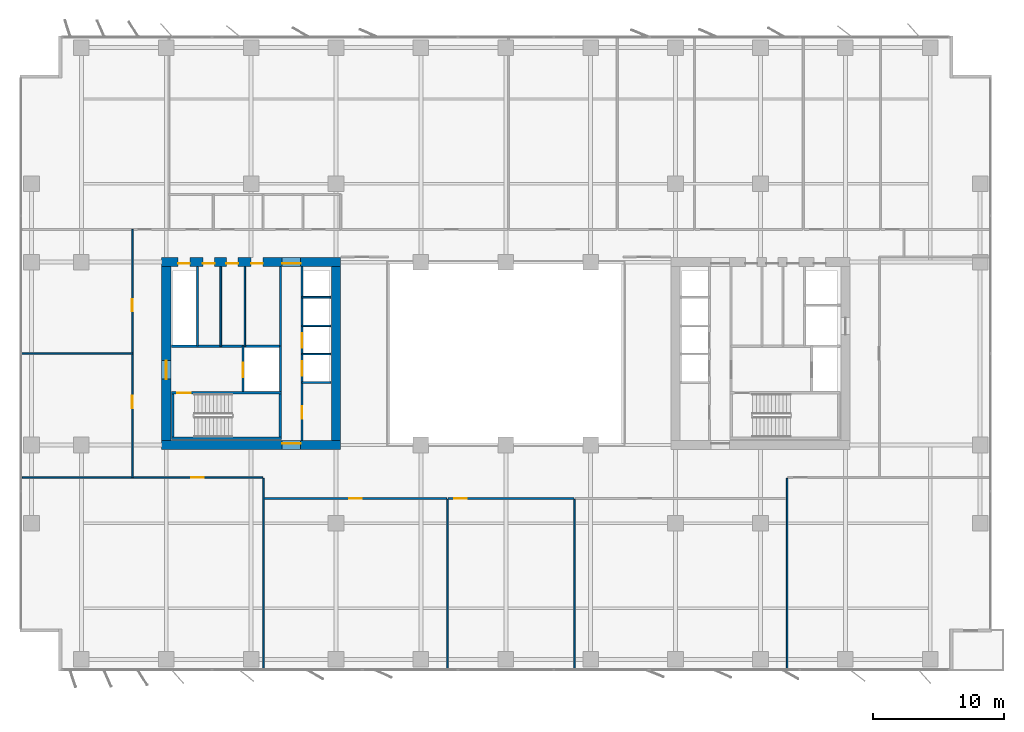
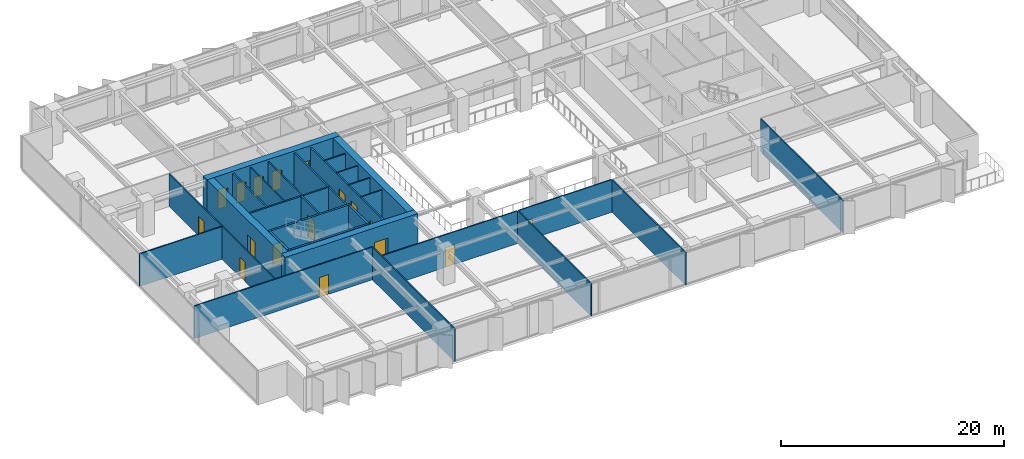
# One storey, part 13 of 20: 30 walls, 17 doors, 17 openings.
"""IFC4 building model written with IfcOpenShell, lengths in metres."""

from ifc_helpers import new_model, si_unit, direction, frame, frame_2d, origin, place, context, subcontext, project, spatial, rectangle, extrude, material, layer, layer_set, type_object, element, fill, save


model = new_model("IFC4")

# Units and contexts
model_context = context("Model", 3, precision=1e-05, world=origin(), true_north=direction((0.0, 1.0)))
body_context = subcontext(model_context, "Body", "Model", "MODEL_VIEW")
ifc_project = project(units=[si_unit("LENGTHUNIT", "METRE"), si_unit("AREAUNIT", "SQUARE_METRE"), si_unit("VOLUMEUNIT", "CUBIC_METRE"), si_unit("PLANEANGLEUNIT", "RADIAN"), si_unit("MASSUNIT", "GRAM", prefix="KILO")], contexts=[model_context])

# Site, building, storey
site_placement = place(None, origin())
site = spatial("IfcSite", under=ifc_project, at=site_placement, CompositionType="ELEMENT")
building_placement = place(site_placement, origin())
building = spatial("IfcBuilding", under=site, at=building_placement, Name="Putna Gate Headquarters", CompositionType="ELEMENT")
storey_placement = place(building_placement, frame((0.0, 0.0, 108.800048828125)))
storey = spatial("IfcBuildingStorey", under=building, at=storey_placement, Name="L26", CompositionType="ELEMENT", Elevation=108.800048828125)

# Wall, opening, door
ifc_material_1 = material(Name="Concrete C60/75", Category="concrete")
ifc_layer_1 = layer(ifc_material_1, 0.699951171875)
ifc_layer_set_1 = layer_set([ifc_layer_1], Name="Concrete C60/75")
wall_type_1 = type_object("IfcWallType", Name="WALL-CORE-700", PredefinedType="SHEAR", material=ifc_layer_set_1)
wall_1_placement = place(storey_placement, frame((12.64990234375, 19.0, 0.0), z_axis=(0.0, 0.0, 1.0), x_axis=(1.0, 0.0, 0.0)))
wall_1 = element("IfcWall", 1, at=wall_1_placement, inside=storey, type_object=wall_type_1, Name="L26 WC Split Core Shear Wall S", PredefinedType="SHEAR", context=body_context, shape_type="SweptSolid", body=[
    extrude(rectangle(XDim=13.7001953125, YDim=0.699951171875, at=frame_2d((6.85009765625, 0.0))), origin(), (0.0, 0.0, 1.0), 3.800048828125),
])
opening_1_placement = place(wall_1_placement, frame((9.22998046875, 0.0, 0.0)))
opening_1 = element("IfcOpeningElement", 2, at=opening_1_placement, cuts=wall_1, Name="Opening FDD-140", PredefinedType="OPENING", context=body_context, shape_type="SweptSolid", body=[
    extrude(rectangle(XDim=1.39990234375, YDim=2.199951171875, at=frame_2d((0.699951171875, 1.10009765625))), frame((0.0, 0.35986328125, 0.0), z_axis=(0.0, -1.0, 0.0), x_axis=(1.0, 0.0, 0.0)), (0.0, 0.0, 1.0), 0.719970703125),
])
ifc_material_2 = material(Name="Double steel fire door", Category="steel")
door_type_1 = type_object("IfcDoorType", Name="DOOR-FIRE-DBL-1400", OperationType="DOUBLE_DOOR_SINGLE_SWING", PredefinedType="DOOR", material=ifc_material_2)
door_1_placement = place(opening_1_placement, origin())
door_1 = element("IfcDoor", 3, at=door_1_placement, inside=storey, type_object=door_type_1, Name="L26 West Lift Lobby South Door", OperationType="DOUBLE_DOOR_SINGLE_SWING", OverallHeight=2.199951171875, OverallWidth=1.39990234375, PredefinedType="DOOR", context=body_context, shape_type="SweptSolid", body=[
    extrude(rectangle(XDim=1.39990234375, YDim=2.199951171875, at=frame_2d((0.699951171875, 1.10009765625))), frame((0.0, 0.125, 0.0), z_axis=(0.0, -1.0, 0.0), x_axis=(1.0, 0.0, 0.0)), (0.0, 0.0, 1.0), 0.050048828125),
])
fill(opening_1, door_1)

# Wall, openings, doors
wall_2_placement = place(storey_placement, frame((12.64990234375, 33.0, 0.0), z_axis=(0.0, 0.0, 1.0), x_axis=(1.0, 0.0, 0.0)))
wall_2 = element("IfcWall", 4, at=wall_2_placement, inside=storey, type_object=wall_type_1, Name="L26 WC Split Core Shear Wall N", PredefinedType="SHEAR", context=body_context, shape_type="SweptSolid", body=[
    extrude(rectangle(XDim=13.7001953125, YDim=0.699951171875, at=frame_2d((6.85009765625, 0.0))), origin(), (0.0, 0.0, 1.0), 3.800048828125),
])
opening_2_placement = place(wall_2_placement, frame((1.25, 0.0, 0.0)))
opening_2 = element("IfcOpeningElement", 5, at=opening_2_placement, cuts=wall_2, Name="Opening RD-90", PredefinedType="OPENING", context=body_context, shape_type="SweptSolid", body=[
    extrude(rectangle(XDim=0.89990234375, YDim=2.14990234375, at=frame_2d((0.449951171875, 1.074951171875))), frame((0.0, 0.35986328125, 0.0), z_axis=(0.0, -1.0, 0.0), x_axis=(1.0, 0.0, 0.0)), (0.0, 0.0, 1.0), 0.719970703125),
])
opening_3_placement = place(wall_2_placement, frame((3.14990234375, 0.0, 0.0)))
opening_3 = element("IfcOpeningElement", 6, at=opening_3_placement, cuts=wall_2, Name="Opening IDS-90", PredefinedType="OPENING", context=body_context, shape_type="SweptSolid", body=[
    extrude(rectangle(XDim=0.89990234375, YDim=2.14990234375, at=frame_2d((0.449951171875, 1.074951171875))), frame((0.0, 0.35986328125, 0.0), z_axis=(0.0, -1.0, 0.0), x_axis=(1.0, 0.0, 0.0)), (0.0, 0.0, 1.0), 0.719970703125),
])
opening_4_placement = place(wall_2_placement, frame((4.949951171875, 0.0, 0.0)))
opening_4 = element("IfcOpeningElement", 7, at=opening_4_placement, cuts=wall_2, Name="Opening IDS-90", PredefinedType="OPENING", context=body_context, shape_type="SweptSolid", body=[
    extrude(rectangle(XDim=0.89990234375, YDim=2.14990234375, at=frame_2d((0.449951171875, 1.074951171875))), frame((0.0, 0.35986328125, 0.0), z_axis=(0.0, -1.0, 0.0), x_axis=(1.0, 0.0, 0.0)), (0.0, 0.0, 1.0), 0.719970703125),
])
opening_5_placement = place(wall_2_placement, frame((6.85009765625, 0.0, 0.0)))
opening_5 = element("IfcOpeningElement", 8, at=opening_5_placement, cuts=wall_2, Name="Opening IDS-90", PredefinedType="OPENING", context=body_context, shape_type="SweptSolid", body=[
    extrude(rectangle(XDim=0.89990234375, YDim=2.14990234375, at=frame_2d((0.449951171875, 1.074951171875))), frame((0.0, 0.35986328125, 0.0), z_axis=(0.0, -1.0, 0.0), x_axis=(1.0, 0.0, 0.0)), (0.0, 0.0, 1.0), 0.719970703125),
])
opening_6_placement = place(wall_2_placement, frame((9.22998046875, 0.0, 0.0)))
opening_6 = element("IfcOpeningElement", 9, at=opening_6_placement, cuts=wall_2, Name="Opening FDD-140", PredefinedType="OPENING", context=body_context, shape_type="SweptSolid", body=[
    extrude(rectangle(XDim=1.39990234375, YDim=2.199951171875, at=frame_2d((0.699951171875, 1.10009765625))), frame((0.0, 0.35986328125, 0.0), z_axis=(0.0, -1.0, 0.0), x_axis=(1.0, 0.0, 0.0)), (0.0, 0.0, 1.0), 0.719970703125),
])
door_2_placement = place(opening_6_placement, origin())
door_2 = element("IfcDoor", 10, at=door_2_placement, inside=storey, type_object=door_type_1, Name="L26 West Lift Lobby North Door", OperationType="DOUBLE_DOOR_SINGLE_SWING", OverallHeight=2.199951171875, OverallWidth=1.39990234375, PredefinedType="DOOR", context=body_context, shape_type="SweptSolid", body=[
    extrude(rectangle(XDim=1.39990234375, YDim=2.199951171875, at=frame_2d((0.699951171875, 1.10009765625))), frame((0.0, -0.0751953125, 0.0), z_axis=(0.0, -1.0, 0.0), x_axis=(1.0, 0.0, 0.0)), (0.0, 0.0, 1.0), 0.050048828125),
])
fill(opening_6, door_2)
ifc_material_3 = material(Name="Fire-rated utility door")
door_type_2 = type_object("IfcDoorType", Name="DOOR-INT-900", OperationType="NOTDEFINED", PredefinedType="DOOR", material=ifc_material_3)
door_3_placement = place(opening_3_placement, origin())
door_3 = element("IfcDoor", 11, at=door_3_placement, inside=storey, type_object=door_type_2, Name="L26 Janitor Cupboard Door", OperationType="SINGLE_SWING_LEFT", OverallHeight=2.14990234375, OverallWidth=0.89990234375, PredefinedType="DOOR", context=body_context, shape_type="SweptSolid", body=[
    extrude(rectangle(XDim=0.89990234375, YDim=2.14990234375, at=frame_2d((0.449951171875, 1.074951171875))), frame((0.0, -0.0751953125, 0.0), z_axis=(0.0, -1.0, 0.0), x_axis=(1.0, 0.0, 0.0)), (0.0, 0.0, 1.0), 0.050048828125),
])
fill(opening_3, door_3)
door_4_placement = place(opening_4_placement, origin())
door_4 = element("IfcDoor", 12, at=door_4_placement, inside=storey, type_object=door_type_2, Name="L26 IT Patch Plant Door", OperationType="SINGLE_SWING_RIGHT", OverallHeight=2.14990234375, OverallWidth=0.89990234375, PredefinedType="DOOR", context=body_context, shape_type="SweptSolid", body=[
    extrude(rectangle(XDim=0.89990234375, YDim=2.14990234375, at=frame_2d((0.449951171875, 1.074951171875))), frame((0.0, -0.0751953125, 0.0), z_axis=(0.0, -1.0, 0.0), x_axis=(1.0, 0.0, 0.0)), (0.0, 0.0, 1.0), 0.050048828125),
])
fill(opening_4, door_4)
door_5_placement = place(opening_5_placement, origin())
door_5 = element("IfcDoor", 13, at=door_5_placement, inside=storey, type_object=door_type_2, Name="L26 Building Records Store Door", OperationType="SINGLE_SWING_LEFT", OverallHeight=2.14990234375, OverallWidth=0.89990234375, PredefinedType="DOOR", context=body_context, shape_type="SweptSolid", body=[
    extrude(rectangle(XDim=0.89990234375, YDim=2.14990234375, at=frame_2d((0.449951171875, 1.074951171875))), frame((0.0, -0.0751953125, 0.0), z_axis=(0.0, -1.0, 0.0), x_axis=(1.0, 0.0, 0.0)), (0.0, 0.0, 1.0), 0.050048828125),
])
fill(opening_5, door_5)
ifc_material_4 = material(Name="Steel riser access fire door", Category="steel")
door_type_3 = type_object("IfcDoorType", Name="DOOR-RISER-900", OperationType="NOTDEFINED", PredefinedType="DOOR", material=ifc_material_4)
door_6_placement = place(opening_2_placement, origin())
door_6 = element("IfcDoor", 14, at=door_6_placement, inside=storey, type_object=door_type_3, Name="L26 West Riser Access Door", OperationType="SINGLE_SWING_RIGHT", OverallHeight=2.14990234375, OverallWidth=0.89990234375, PredefinedType="DOOR", context=body_context, shape_type="SweptSolid", body=[
    extrude(rectangle(XDim=0.89990234375, YDim=2.14990234375, at=frame_2d((0.449951171875, 1.074951171875))), frame((0.0, -0.0751953125, 0.0), z_axis=(0.0, -1.0, 0.0), x_axis=(1.0, 0.0, 0.0)), (0.0, 0.0, 1.0), 0.050048828125),
])
fill(opening_2, door_6)

# Wall, opening, door
wall_3_placement = place(storey_placement, frame((13.0, 19.35009765625, 0.0), z_axis=(0.0, 0.0, 1.0), x_axis=(0.0, 1.0, 0.0)))
wall_3 = element("IfcWall", 15, at=wall_3_placement, inside=storey, type_object=wall_type_1, Name="L26 WC Split Core Shear Wall W", PredefinedType="SHEAR", context=body_context, shape_type="SweptSolid", body=[
    extrude(rectangle(XDim=13.2998046875, YDim=0.699951171875, at=frame_2d((6.64990234375, 0.0))), origin(), (0.0, 0.0, 1.0), 3.800048828125),
])
opening_7_placement = place(wall_3_placement, frame((4.699951171875, 0.0, 0.0)))
opening_7 = element("IfcOpeningElement", 16, at=opening_7_placement, cuts=wall_3, Name="Opening FDD-140", PredefinedType="OPENING", context=body_context, shape_type="SweptSolid", body=[
    extrude(rectangle(XDim=1.39990234375, YDim=2.199951171875, at=frame_2d((0.699951171875, 1.10009765625))), frame((0.0, 0.35986328125, 0.0), z_axis=(0.0, -1.0, 0.0), x_axis=(1.0, 0.0, 0.0)), (0.0, 0.0, 1.0), 0.719970703125),
])
door_7_placement = place(opening_7_placement, origin())
door_7 = element("IfcDoor", 17, at=door_7_placement, inside=storey, type_object=door_type_1, Name="L26 West Firefighting Lobby Door", OperationType="DOUBLE_DOOR_SINGLE_SWING", OverallHeight=2.199951171875, OverallWidth=1.39990234375, PredefinedType="DOOR", context=body_context, shape_type="SweptSolid", body=[
    extrude(rectangle(XDim=1.39990234375, YDim=2.199951171875, at=frame_2d((0.699951171875, 1.10009765625))), frame((0.0, 0.02490234375, 0.0), z_axis=(0.0, -1.0, 0.0), x_axis=(1.0, 0.0, 0.0)), (0.0, 0.0, 1.0), 0.050048828125),
])
fill(opening_7, door_7)

# Walls
wall_4_placement = place(storey_placement, frame((26.0, 19.35009765625, 0.0), z_axis=(0.0, 0.0, 1.0), x_axis=(0.0, 1.0, 0.0)))
element("IfcWall", 18, at=wall_4_placement, inside=storey, type_object=wall_type_1, Name="L26 WC Split Core Shear Wall E", PredefinedType="SHEAR", context=body_context, shape_type="SweptSolid", body=[
    extrude(rectangle(XDim=13.2998046875, YDim=0.699951171875, at=frame_2d((6.64990234375, 0.0))), origin(), (0.0, 0.0, 1.0), 3.800048828125),
])
ifc_material_5 = material(Name="Acoustic gypsum board on metal stud")
ifc_layer_2 = layer(ifc_material_5, 0.1201171875)
ifc_layer_set_2 = layer_set([ifc_layer_2], Name="Acoustic gypsum board on metal stud")
wall_type_2 = type_object("IfcWallType", Name="WALL-PART-120", PredefinedType="PARTITIONING", material=ifc_layer_set_2)
wall_5_placement = place(storey_placement, frame((20.430908203125, 1.719970703125, 0.0), z_axis=(0.0, 0.0, 1.0), x_axis=(0.0, 1.0, 0.0)))
element("IfcWall", 19, at=wall_5_placement, inside=storey, type_object=wall_type_2, Name="L26 Interior Wall PART-L26-SB-DIV-01", PredefinedType="PARTITIONING", context=body_context, shape_type="SweptSolid", body=[
    extrude(rectangle(XDim=14.719970703125, YDim=0.1201171875, at=frame_2d((7.35986328125, 0.0))), origin(), (0.0, 0.0, 1.0), 3.56494140625),
])
for number, where, z_axis, x_axis, name in (
    (20, (34.528076171875, 1.719970703125, 0.0), (0.0, 0.0, 1.0), (0.0, 1.0, 0.0), "L26 Interior Wall PART-L26-SB-DIV-02"),
    (21, (44.271484375, 1.719970703125, 0.0), (0.0, 0.0, 1.0), (0.0, 1.0, 0.0), "L26 Interior Wall PART-L26-SB-DIV-03"),
):
    element("IfcWall", number, at=place(storey_placement, frame(where, z_axis=z_axis, x_axis=x_axis)), inside=storey, type_object=wall_type_2, Name=name, PredefinedType="PARTITIONING", context=body_context, shape_type="SweptSolid", body=[
        extrude(rectangle(XDim=13.1201171875, YDim=0.1201171875, at=frame_2d((6.56005859375, 0.0))), origin(), (0.0, 0.0, 1.0), 3.56494140625),
    ])
wall_6_placement = place(storey_placement, frame((60.545654296875, 1.719970703125, 0.0), z_axis=(0.0, 0.0, 1.0), x_axis=(0.0, 1.0, 0.0)))
element("IfcWall", 22, at=wall_6_placement, inside=storey, type_object=wall_type_2, Name="L26 Interior Wall PART-L26-SB-DIV-04", PredefinedType="PARTITIONING", context=body_context, shape_type="SweptSolid", body=[
    extrude(rectangle(XDim=14.719970703125, YDim=0.1201171875, at=frame_2d((7.35986328125, 0.0))), origin(), (0.0, 0.0, 1.0), 3.56494140625),
])
wall_7_placement = place(storey_placement, frame((1.820068359375, 26.0, 0.0), z_axis=(0.0, 0.0, 1.0), x_axis=(1.0, 0.0, 0.0)))
element("IfcWall", 23, at=wall_7_placement, inside=storey, type_object=wall_type_2, Name="L26 Interior Wall PART-L26-WW-DIV-1", PredefinedType="PARTITIONING", context=body_context, shape_type="SweptSolid", body=[
    extrude(rectangle(XDim=8.579833984375, YDim=0.1201171875, at=frame_2d((4.2900390625, 0.0))), origin(), (0.0, 0.0, 1.0), 3.56494140625),
])
ifc_material_6 = material(Name="Fire-rated shaftwall gypsum board on metal stud")
ifc_layer_3 = layer(ifc_material_6, 0.1201171875)
ifc_layer_set_3 = layer_set([ifc_layer_3], Name="Fire-rated shaftwall gypsum board on metal stud")
wall_type_3 = type_object("IfcWallType", Name="WALL-PART-120-EI120", PredefinedType="PARTITIONING", material=ifc_layer_set_3)
for number, where, z_axis, x_axis, name in (
    (24, (23.39990234375, 25.949951171875, 0.0), (0.0, 0.0, 1.0), (1.0, 0.0, 0.0), "L26 Interior Wall CWINT-L26-WC-LF05-DIV"),
    (25, (23.39990234375, 28.1201171875, 0.0), (0.0, 0.0, 1.0), (1.0, 0.0, 0.0), "L26 Interior Wall CWINT-L26-WC-LF06-DIV"),
    (26, (23.39990234375, 30.31005859375, 0.0), (0.0, 0.0, 1.0), (1.0, 0.0, 0.0), "L26 Interior Wall CWINT-L26-WC-LF09-DIV"),
):
    element("IfcWall", number, at=place(storey_placement, frame(where, z_axis=z_axis, x_axis=x_axis)), inside=storey, type_object=wall_type_3, Name=name, PredefinedType="PARTITIONING", context=body_context, shape_type="SweptSolid", body=[
        extrude(rectangle(XDim=2.2001953125, YDim=0.1201171875, at=frame_2d((1.10009765625, 0.0))), origin(), (0.0, 0.0, 1.0), 3.56494140625),
    ])
ifc_material_7 = material(Name="Fire-rated gypsum board on metal stud")
ifc_layer_4 = layer(ifc_material_7, 0.1201171875)
ifc_layer_set_4 = layer_set([ifc_layer_4], Name="Fire-rated gypsum board on metal stud")
wall_type_4 = type_object("IfcWallType", Name="WALL-PART-120-RATED", PredefinedType="PARTITIONING", material=ifc_layer_set_4)
for number, where, z_axis, x_axis, name in (
    (27, (17.169921875, 26.56005859375, 0.0), (0.0, 0.0, 1.0), (0.0, 1.0, 0.0), "L26 Interior Wall CWINT-L26-WC-K2-D1"),
    (28, (19.02001953125, 26.56005859375, 0.0), (0.0, 0.0, 1.0), (0.0, 1.0, 0.0), "L26 Interior Wall CWINT-L26-WC-K2-D2"),
):
    element("IfcWall", number, at=place(storey_placement, frame(where, z_axis=z_axis, x_axis=x_axis)), inside=storey, type_object=wall_type_4, Name=name, PredefinedType="PARTITIONING", context=body_context, shape_type="SweptSolid", body=[
        extrude(rectangle(XDim=6.08984375, YDim=0.1201171875, at=frame_2d((3.044921875, 0.0))), origin(), (0.0, 0.0, 1.0), 3.56494140625),
    ])
wall_8_placement = place(storey_placement, frame((23.39990234375, 23.780029296875, 0.0), z_axis=(0.0, 0.0, 1.0), x_axis=(1.0, 0.0, 0.0)))
element("IfcWall", 29, at=wall_8_placement, inside=storey, type_object=wall_type_4, Name="L26 Interior Wall CWINT-L26-WC-LF02-DIV", PredefinedType="PARTITIONING", context=body_context, shape_type="SweptSolid", body=[
    extrude(rectangle(XDim=2.2001953125, YDim=0.1201171875, at=frame_2d((1.10009765625, 0.0))), origin(), (0.0, 0.0, 1.0), 3.56494140625),
])

# Wall, opening, door
wall_9_placement = place(storey_placement, frame((1.97998046875, 16.5, 0.0), z_axis=(0.0, 0.0, 1.0), x_axis=(1.0, 0.0, 0.0)))
wall_9 = element("IfcWall", 30, at=wall_9_placement, inside=storey, type_object=wall_type_4, Name="L26 Interior Wall PART-L26-SB-CW-01", PredefinedType="PARTITIONING", context=body_context, shape_type="SweptSolid", body=[
    extrude(rectangle(XDim=18.390869140625, YDim=0.1201171875, at=frame_2d((9.1953125, 0.0))), origin(), (0.0, 0.0, 1.0), 3.56494140625),
])
opening_8_placement = place(wall_9_placement, frame((12.930419921875, 0.0, 0.0)))
opening_8 = element("IfcOpeningElement", 31, at=opening_8_placement, cuts=wall_9, Name="Opening FD-95", PredefinedType="OPENING", context=body_context, shape_type="SweptSolid", body=[
    extrude(rectangle(XDim=0.949951171875, YDim=2.14990234375, at=frame_2d((0.47509765625, 1.074951171875))), frame((0.0, 0.070068359375, 0.0), z_axis=(0.0, -1.0, 0.0), x_axis=(1.0, 0.0, 0.0)), (0.0, 0.0, 1.0), 0.14013671875),
])
ifc_material_8 = material(Name="Acoustic timber fire door", Category="wood")
door_type_4 = type_object("IfcDoorType", Name="DOOR-FIRE-950", OperationType="NOTDEFINED", PredefinedType="DOOR", material=ifc_material_8)
door_8_placement = place(opening_8_placement, origin())
door_8 = element("IfcDoor", 32, at=door_8_placement, inside=storey, type_object=door_type_4, Name="L26 Cellular Office 2 Door", OperationType="SINGLE_SWING_RIGHT", OverallHeight=2.14990234375, OverallWidth=0.949951171875, PredefinedType="DOOR", context=body_context, shape_type="SweptSolid", body=[
    extrude(rectangle(XDim=0.949951171875, YDim=2.14990234375, at=frame_2d((0.47509765625, 1.074951171875))), frame((0.0, 0.02490234375, 0.0), z_axis=(0.0, -1.0, 0.0), x_axis=(1.0, 0.0, 0.0)), (0.0, 0.0, 1.0), 0.050048828125),
])
fill(opening_8, door_8)

wall_10_placement = place(storey_placement, frame((20.49072265625, 14.89990234375, 0.0), z_axis=(0.0, 0.0, 1.0), x_axis=(1.0, 0.0, 0.0)))
wall_10 = element("IfcWall", 33, at=wall_10_placement, inside=storey, type_object=wall_type_4, Name="L26 Interior Wall PART-L26-SB-CW-02", PredefinedType="PARTITIONING", context=body_context, shape_type="SweptSolid", body=[
    extrude(rectangle(XDim=13.977294921875, YDim=0.1201171875, at=frame_2d((6.98876953125, 0.0))), origin(), (0.0, 0.0, 1.0), 3.56494140625),
])
opening_9_placement = place(wall_10_placement, frame((6.513671875, 0.0, 0.0)))
opening_9 = element("IfcOpeningElement", 34, at=opening_9_placement, cuts=wall_10, Name="Opening FD-95", PredefinedType="OPENING", context=body_context, shape_type="SweptSolid", body=[
    extrude(rectangle(XDim=0.949951171875, YDim=2.14990234375, at=frame_2d((0.47509765625, 1.074951171875))), frame((0.0, 0.070068359375, 0.0), z_axis=(0.0, -1.0, 0.0), x_axis=(1.0, 0.0, 0.0)), (0.0, 0.0, 1.0), 0.14013671875),
])
door_9_placement = place(opening_9_placement, origin())
door_9 = element("IfcDoor", 35, at=door_9_placement, inside=storey, type_object=door_type_4, Name="L26 Collaborative Breakout Lounge 1 Door", OperationType="SINGLE_SWING_LEFT", OverallHeight=2.14990234375, OverallWidth=0.949951171875, PredefinedType="DOOR", context=body_context, shape_type="SweptSolid", body=[
    extrude(rectangle(XDim=0.949951171875, YDim=2.14990234375, at=frame_2d((0.47509765625, 1.074951171875))), frame((0.0, 0.02490234375, 0.0), z_axis=(0.0, -1.0, 0.0), x_axis=(1.0, 0.0, 0.0)), (0.0, 0.0, 1.0), 0.050048828125),
])
fill(opening_9, door_9)

wall_11_placement = place(storey_placement, frame((34.587890625, 14.89990234375, 0.0), z_axis=(0.0, 0.0, 1.0), x_axis=(1.0, 0.0, 0.0)))
wall_11 = element("IfcWall", 36, at=wall_11_placement, inside=storey, type_object=wall_type_4, Name="L26 Interior Wall PART-L26-SB-CW-03", PredefinedType="PARTITIONING", context=body_context, shape_type="SweptSolid", body=[
    extrude(rectangle(XDim=9.623779296875, YDim=0.1201171875, at=frame_2d((4.81201171875, 0.0))), origin(), (0.0, 0.0, 1.0), 3.56494140625),
])
opening_10_placement = place(wall_11_placement, frame((0.47998046875, 0.0, 0.0)))
opening_10 = element("IfcOpeningElement", 37, at=opening_10_placement, cuts=wall_11, Name="Opening FD-95", PredefinedType="OPENING", context=body_context, shape_type="SweptSolid", body=[
    extrude(rectangle(XDim=0.949951171875, YDim=2.14990234375, at=frame_2d((0.47509765625, 1.074951171875))), frame((0.0, 0.070068359375, 0.0), z_axis=(0.0, -1.0, 0.0), x_axis=(1.0, 0.0, 0.0)), (0.0, 0.0, 1.0), 0.14013671875),
])
door_10_placement = place(opening_10_placement, origin())
door_10 = element("IfcDoor", 38, at=door_10_placement, inside=storey, type_object=door_type_4, Name="L26 Collaborative Breakout Lounge 2 Door", OperationType="SINGLE_SWING_RIGHT", OverallHeight=2.14990234375, OverallWidth=0.949951171875, PredefinedType="DOOR", context=body_context, shape_type="SweptSolid", body=[
    extrude(rectangle(XDim=0.949951171875, YDim=2.14990234375, at=frame_2d((0.47509765625, 1.074951171875))), frame((0.0, 0.02490234375, 0.0), z_axis=(0.0, -1.0, 0.0), x_axis=(1.0, 0.0, 0.0)), (0.0, 0.0, 1.0), 0.050048828125),
])
fill(opening_10, door_10)

wall_12_placement = place(storey_placement, frame((10.39990234375, 16.5, 0.0), z_axis=(0.0, 0.0, 1.0), x_axis=(0.0, 1.0, 0.0)))
wall_12 = element("IfcWall", 39, at=wall_12_placement, inside=storey, type_object=wall_type_4, Name="L26 Interior Wall PART-L26-WW-CW-1", PredefinedType="PARTITIONING", context=body_context, shape_type="SweptSolid", body=[
    extrude(rectangle(XDim=9.5, YDim=0.1201171875, at=frame_2d((4.75, 0.0))), origin(), (0.0, 0.0, 1.0), 3.56494140625),
])
opening_11_placement = place(wall_12_placement, frame((5.324951171875, 0.0, 0.0)))
opening_11 = element("IfcOpeningElement", 40, at=opening_11_placement, cuts=wall_12, Name="Opening FD-95", PredefinedType="OPENING", context=body_context, shape_type="SweptSolid", body=[
    extrude(rectangle(XDim=0.949951171875, YDim=2.14990234375, at=frame_2d((0.47509765625, 1.074951171875))), frame((0.0, 0.070068359375, 0.0), z_axis=(0.0, -1.0, 0.0), x_axis=(1.0, 0.0, 0.0)), (0.0, 0.0, 1.0), 0.14013671875),
])
door_11_placement = place(opening_11_placement, origin())
door_11 = element("IfcDoor", 41, at=door_11_placement, inside=storey, type_object=door_type_4, Name="L26 West Project Meeting Room 1 Door", OperationType="SINGLE_SWING_LEFT", OverallHeight=2.14990234375, OverallWidth=0.949951171875, PredefinedType="DOOR", context=body_context, shape_type="SweptSolid", body=[
    extrude(rectangle(XDim=0.949951171875, YDim=2.14990234375, at=frame_2d((0.47509765625, 1.074951171875))), frame((0.0, 0.02490234375, 0.0), z_axis=(0.0, -1.0, 0.0), x_axis=(1.0, 0.0, 0.0)), (0.0, 0.0, 1.0), 0.050048828125),
])
fill(opening_11, door_11)

wall_13_placement = place(storey_placement, frame((10.39990234375, 26.0, 0.0), z_axis=(0.0, 0.0, 1.0), x_axis=(0.0, 1.0, 0.0)))
wall_13 = element("IfcWall", 42, at=wall_13_placement, inside=storey, type_object=wall_type_4, Name="L26 Interior Wall PART-L26-WW-CW-2", PredefinedType="PARTITIONING", context=body_context, shape_type="SweptSolid", body=[
    extrude(rectangle(XDim=9.5, YDim=0.1201171875, at=frame_2d((4.75, 0.0))), origin(), (0.0, 0.0, 1.0), 3.56494140625),
])
opening_12_placement = place(wall_13_placement, frame((3.22509765625, 0.0, 0.0)))
opening_12 = element("IfcOpeningElement", 43, at=opening_12_placement, cuts=wall_13, Name="Opening FD-95", PredefinedType="OPENING", context=body_context, shape_type="SweptSolid", body=[
    extrude(rectangle(XDim=0.949951171875, YDim=2.14990234375, at=frame_2d((0.47509765625, 1.074951171875))), frame((0.0, 0.070068359375, 0.0), z_axis=(0.0, -1.0, 0.0), x_axis=(1.0, 0.0, 0.0)), (0.0, 0.0, 1.0), 0.14013671875),
])
door_12_placement = place(opening_12_placement, origin())
door_12 = element("IfcDoor", 44, at=door_12_placement, inside=storey, type_object=door_type_4, Name="L26 West Project Meeting Room 2 Door", OperationType="SINGLE_SWING_RIGHT", OverallHeight=2.14990234375, OverallWidth=0.949951171875, PredefinedType="DOOR", context=body_context, shape_type="SweptSolid", body=[
    extrude(rectangle(XDim=0.949951171875, YDim=2.14990234375, at=frame_2d((0.47509765625, 1.074951171875))), frame((0.0, 0.02490234375, 0.0), z_axis=(0.0, -1.0, 0.0), x_axis=(1.0, 0.0, 0.0)), (0.0, 0.0, 1.0), 0.050048828125),
])
fill(opening_12, door_12)

# Wall
ifc_material_9 = material(Name="Concrete C40/50", Category="concrete")
ifc_layer_5 = layer(ifc_material_9, 0.159912109375)
ifc_layer_set_5 = layer_set([ifc_layer_5], Name="Concrete C40/50")
wall_type_5 = type_object("IfcWallType", Name="WALL-SHAFT-160", PredefinedType="STANDARD", material=ifc_layer_set_5)
wall_14_placement = place(storey_placement, frame((21.739990234375, 23.090087890625, 0.0), z_axis=(0.0, 0.0, 1.0), x_axis=(0.0, 1.0, 0.0)))
element("IfcWall", 45, at=wall_14_placement, inside=storey, type_object=wall_type_5, Name="L26 Interior Wall CWINT-L26-WC-FFL-E", PredefinedType="STANDARD", context=body_context, shape_type="SweptSolid", body=[
    extrude(rectangle(XDim=3.469970703125, YDim=0.159912109375, at=frame_2d((1.73486328125, 0.0))), origin(), (0.0, 0.0, 1.0), 3.56494140625),
])

# Wall, opening, door
wall_15_placement = place(storey_placement, frame((18.8798828125, 23.090087890625, 0.0), z_axis=(0.0, 0.0, 1.0), x_axis=(0.0, 1.0, 0.0)))
wall_15 = element("IfcWall", 46, at=wall_15_placement, inside=storey, type_object=wall_type_5, Name="L26 Interior Wall CWINT-L26-WC-LF13-W", PredefinedType="STANDARD", context=body_context, shape_type="SweptSolid", body=[
    extrude(rectangle(XDim=3.469970703125, YDim=0.159912109375, at=frame_2d((1.73486328125, 0.0))), origin(), (0.0, 0.0, 1.0), 3.56494140625),
])
opening_13_placement = place(wall_15_placement, frame((1.10009765625, 0.0, 0.0)))
opening_13 = element("IfcOpeningElement", 47, at=opening_13_placement, cuts=wall_15, Name="Opening LD-1", PredefinedType="OPENING", context=body_context, shape_type="SweptSolid", body=[
    extrude(rectangle(XDim=1.10009765625, YDim=2.199951171875, at=frame_2d((0.550048828125, 1.10009765625))), frame((0.0, 0.08984375, 0.0), z_axis=(0.0, -1.0, 0.0), x_axis=(1.0, 0.0, 0.0)), (0.0, 0.0, 1.0), 0.179931640625),
])
ifc_material_10 = material(Name="Brushed bronze stainless lift landing door")
door_type_5 = type_object("IfcDoorType", Name="DOOR-LIFT-1100", OperationType="DOUBLE_DOOR_SLIDING", PredefinedType="DOOR", material=ifc_material_10)
door_13_placement = place(opening_13_placement, origin())
door_13 = element("IfcDoor", 48, at=door_13_placement, inside=storey, type_object=door_type_5, Name="L26 Lift Landing Door LD-13", OperationType="DOUBLE_DOOR_SLIDING", OverallHeight=2.199951171875, OverallWidth=1.10009765625, PredefinedType="DOOR", context=body_context, shape_type="SweptSolid", body=[
    extrude(rectangle(XDim=1.10009765625, YDim=2.199951171875, at=frame_2d((0.550048828125, 1.10009765625))), frame((0.0, 0.02490234375, 0.0), z_axis=(0.0, -1.0, 0.0), x_axis=(1.0, 0.0, 0.0)), (0.0, 0.0, 1.0), 0.050048828125),
])
fill(opening_13, door_13)

# Walls
wall_16_placement = place(storey_placement, frame((13.39990234375, 26.56005859375, 0.0), z_axis=(0.0, 0.0, 1.0), x_axis=(1.0, 0.0, 0.0)))
element("IfcWall", 49, at=wall_16_placement, inside=storey, type_object=wall_type_5, Name="L26 Interior Wall CWINT-L26-WC-FFL-N", PredefinedType="STANDARD", context=body_context, shape_type="SweptSolid", body=[
    extrude(rectangle(XDim=8.340087890625, YDim=0.159912109375, at=frame_2d((4.169921875, 0.0))), origin(), (0.0, 0.0, 1.0), 3.56494140625),
])
for number, where, z_axis, x_axis, name in (
    (50, (15.3798828125, 26.56005859375, 0.0), (0.0, 0.0, 1.0), (0.0, 1.0, 0.0), "L26 Interior Wall CWINT-L26-WC-RISER-E"),
    (51, (21.739990234375, 26.56005859375, 0.0), (0.0, 0.0, 1.0), (0.0, 1.0, 0.0), "L26 Interior Wall CWINT-L26-WC-LOB-W"),
):
    element("IfcWall", number, at=place(storey_placement, frame(where, z_axis=z_axis, x_axis=x_axis)), inside=storey, type_object=wall_type_5, Name=name, PredefinedType="STANDARD", context=body_context, shape_type="SweptSolid", body=[
        extrude(rectangle(XDim=6.08984375, YDim=0.159912109375, at=frame_2d((3.044921875, 0.0))), origin(), (0.0, 0.0, 1.0), 3.56494140625),
    ])

# Wall, openings, doors
wall_17_placement = place(storey_placement, frame((23.39990234375, 19.35009765625, 0.0), z_axis=(0.0, 0.0, 1.0), x_axis=(0.0, 1.0, 0.0)))
wall_17 = element("IfcWall", 52, at=wall_17_placement, inside=storey, type_object=wall_type_5, Name="L26 Interior Wall CWINT-L26-WC-PL-WALL", PredefinedType="STANDARD", context=body_context, shape_type="SweptSolid", body=[
    extrude(rectangle(XDim=13.2998046875, YDim=0.159912109375, at=frame_2d((6.64990234375, 0.0))), origin(), (0.0, 0.0, 1.0), 3.56494140625),
])
opening_14_placement = place(wall_17_placement, frame((1.64990234375, 0.0, 0.0)))
opening_14 = element("IfcOpeningElement", 53, at=opening_14_placement, cuts=wall_17, Name="Opening IDS-95", PredefinedType="OPENING", context=body_context, shape_type="SweptSolid", body=[
    extrude(rectangle(XDim=0.949951171875, YDim=2.14990234375, at=frame_2d((0.47509765625, 1.074951171875))), frame((0.0, 0.08984375, 0.0), z_axis=(0.0, -1.0, 0.0), x_axis=(1.0, 0.0, 0.0)), (0.0, 0.0, 1.0), 0.179931640625),
])
opening_15_placement = place(wall_17_placement, frame((4.949951171875, 0.0, 0.0)))
opening_15 = element("IfcOpeningElement", 54, at=opening_15_placement, cuts=wall_17, Name="Opening LD-1", PredefinedType="OPENING", context=body_context, shape_type="SweptSolid", body=[
    extrude(rectangle(XDim=1.10009765625, YDim=2.199951171875, at=frame_2d((0.550048828125, 1.10009765625))), frame((0.0, 0.08984375, 0.0), z_axis=(0.0, -1.0, 0.0), x_axis=(1.0, 0.0, 0.0)), (0.0, 0.0, 1.0), 0.179931640625),
])
opening_16_placement = place(wall_17_placement, frame((7.10009765625, 0.0, 0.0)))
opening_16 = element("IfcOpeningElement", 55, at=opening_16_placement, cuts=wall_17, Name="Opening LD-1", PredefinedType="OPENING", context=body_context, shape_type="SweptSolid", body=[
    extrude(rectangle(XDim=1.10009765625, YDim=2.199951171875, at=frame_2d((0.550048828125, 1.10009765625))), frame((0.0, 0.08984375, 0.0), z_axis=(0.0, -1.0, 0.0), x_axis=(1.0, 0.0, 0.0)), (0.0, 0.0, 1.0), 0.179931640625),
])
ifc_material_11 = material(Name="Fire-rated service timber door", Category="wood")
door_type_6 = type_object("IfcDoorType", Name="DOOR-INT-950", OperationType="NOTDEFINED", PredefinedType="DOOR", material=ifc_material_11)
door_14_placement = place(opening_14_placement, origin())
door_14 = element("IfcDoor", 56, at=door_14_placement, inside=storey, type_object=door_type_6, Name="L26 Document Archive Door", OperationType="SINGLE_SWING_LEFT", OverallHeight=2.14990234375, OverallWidth=0.949951171875, PredefinedType="DOOR", context=body_context, shape_type="SweptSolid", body=[
    extrude(rectangle(XDim=0.949951171875, YDim=2.14990234375, at=frame_2d((0.47509765625, 1.074951171875))), frame((0.0, 0.02490234375, 0.0), z_axis=(0.0, -1.0, 0.0), x_axis=(1.0, 0.0, 0.0)), (0.0, 0.0, 1.0), 0.050048828125),
])
fill(opening_14, door_14)
door_15_placement = place(opening_15_placement, origin())
door_15 = element("IfcDoor", 57, at=door_15_placement, inside=storey, type_object=door_type_5, Name="L26 Lift Landing Door LD-05", OperationType="DOUBLE_DOOR_SLIDING", OverallHeight=2.199951171875, OverallWidth=1.10009765625, PredefinedType="DOOR", context=body_context, shape_type="SweptSolid", body=[
    extrude(rectangle(XDim=1.10009765625, YDim=2.199951171875, at=frame_2d((0.550048828125, 1.10009765625))), frame((0.0, 0.02490234375, 0.0), z_axis=(0.0, -1.0, 0.0), x_axis=(1.0, 0.0, 0.0)), (0.0, 0.0, 1.0), 0.050048828125),
])
fill(opening_15, door_15)
door_16_placement = place(opening_16_placement, origin())
door_16 = element("IfcDoor", 58, at=door_16_placement, inside=storey, type_object=door_type_5, Name="L26 Lift Landing Door LD-06", OperationType="DOUBLE_DOOR_SLIDING", OverallHeight=2.199951171875, OverallWidth=1.10009765625, PredefinedType="DOOR", context=body_context, shape_type="SweptSolid", body=[
    extrude(rectangle(XDim=1.10009765625, YDim=2.199951171875, at=frame_2d((0.550048828125, 1.10009765625))), frame((0.0, 0.02490234375, 0.0), z_axis=(0.0, -1.0, 0.0), x_axis=(1.0, 0.0, 0.0)), (0.0, 0.0, 1.0), 0.050048828125),
])
fill(opening_16, door_16)

# Wall
ifc_layer_6 = layer(ifc_material_9, 0.199951171875)
ifc_layer_set_6 = layer_set([ifc_layer_6], Name="Concrete C40/50")
wall_type_6 = type_object("IfcWallType", Name="WALL-SHAFT-RC200", PredefinedType="SHEAR", material=ifc_layer_set_6)
wall_18_placement = place(storey_placement, frame((13.409912109375, 19.510009765625, 0.0), z_axis=(0.0, 0.0, 1.0), x_axis=(1.0, 0.0, 0.0)))
element("IfcWall", 59, at=wall_18_placement, inside=storey, type_object=wall_type_6, Name="L26 Stair ST1 Structural Shaft Wall S", PredefinedType="SHEAR", context=body_context, shape_type="SweptSolid", body=[
    extrude(rectangle(XDim=8.43017578125, YDim=0.199951171875, at=frame_2d((4.215087890625, 0.0))), origin(), (0.0, 0.0, 1.0), 3.800048828125),
])

# Wall, opening, door
wall_19_placement = place(storey_placement, frame((13.409912109375, 22.989990234375, 0.0), z_axis=(0.0, 0.0, 1.0), x_axis=(1.0, 0.0, 0.0)))
wall_19 = element("IfcWall", 60, at=wall_19_placement, inside=storey, type_object=wall_type_6, Name="L26 Stair ST1 Structural Shaft Wall N", PredefinedType="SHEAR", context=body_context, shape_type="SweptSolid", body=[
    extrude(rectangle(XDim=8.43017578125, YDim=0.199951171875, at=frame_2d((4.215087890625, 0.0))), origin(), (0.0, 0.0, 1.0), 3.800048828125),
])
opening_17_placement = place(wall_19_placement, frame((0.449951171875, 0.0, 0.0)))
opening_17 = element("IfcOpeningElement", 61, at=opening_17_placement, cuts=wall_19, Name="Opening FD-100", PredefinedType="OPENING", context=body_context, shape_type="SweptSolid", body=[
    extrude(rectangle(XDim=1.0, YDim=2.14990234375, at=frame_2d((0.5, 1.074951171875))), frame((0.0, 0.10986328125, 0.0), z_axis=(0.0, -1.0, 0.0), x_axis=(1.0, 0.0, 0.0)), (0.0, 0.0, 1.0), 0.219970703125),
])
ifc_material_12 = material(Name="Powder-coated steel fire door", Category="steel")
door_type_7 = type_object("IfcDoorType", Name="DOOR-FIRE-1000", OperationType="NOTDEFINED", PredefinedType="DOOR", material=ifc_material_12)
door_17_placement = place(opening_17_placement, origin())
door_17 = element("IfcDoor", 62, at=door_17_placement, inside=storey, type_object=door_type_7, Name="L26 Stair ST1 Fire Door", OperationType="SINGLE_SWING_LEFT", OverallHeight=2.14990234375, OverallWidth=1.0, PredefinedType="DOOR", context=body_context, shape_type="SweptSolid", body=[
    extrude(rectangle(XDim=1.0, YDim=2.14990234375, at=frame_2d((0.5, 1.074951171875))), frame((0.0, 0.02490234375, 0.0), z_axis=(0.0, -1.0, 0.0), x_axis=(1.0, 0.0, 0.0)), (0.0, 0.0, 1.0), 0.050048828125),
])
fill(opening_17, door_17)

# Walls
for number, where, z_axis, x_axis, name in (
    (63, (13.510009765625, 19.610107421875, 0.0), (0.0, 0.0, 1.0), (0.0, 1.0, 0.0), "L26 Stair ST1 Structural Shaft Wall W"),
    (64, (21.739990234375, 19.610107421875, 0.0), (0.0, 0.0, 1.0), (0.0, 1.0, 0.0), "L26 Stair ST1 Structural Shaft Wall E"),
):
    element("IfcWall", number, at=place(storey_placement, frame(where, z_axis=z_axis, x_axis=x_axis)), inside=storey, type_object=wall_type_6, Name=name, PredefinedType="SHEAR", context=body_context, shape_type="SweptSolid", body=[
        extrude(rectangle(XDim=3.27978515625, YDim=0.199951171875, at=frame_2d((1.639892578125, 0.0))), origin(), (0.0, 0.0, 1.0), 3.800048828125),
    ])

save(model, "model.ifc")
